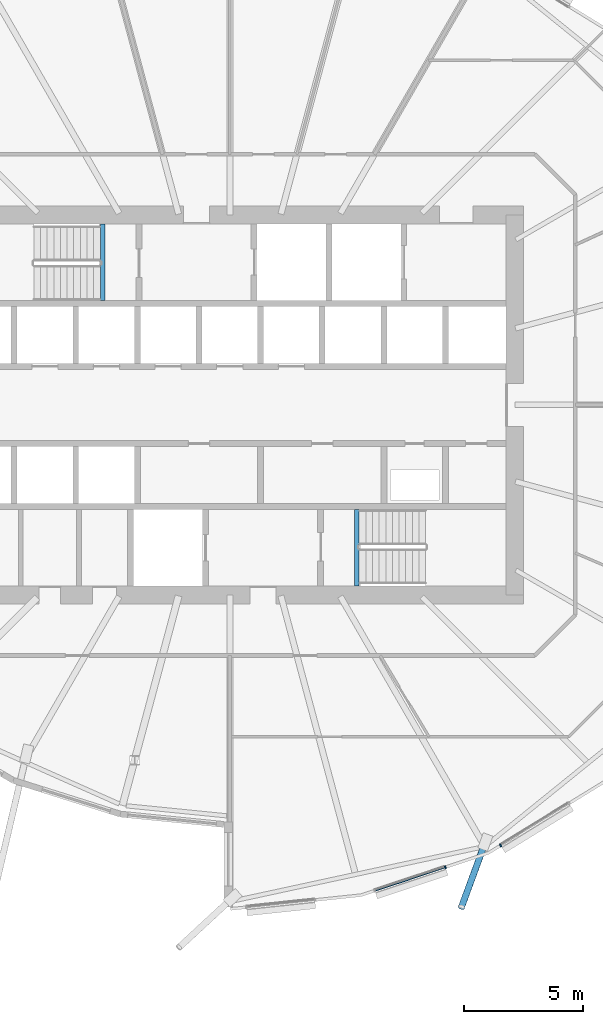
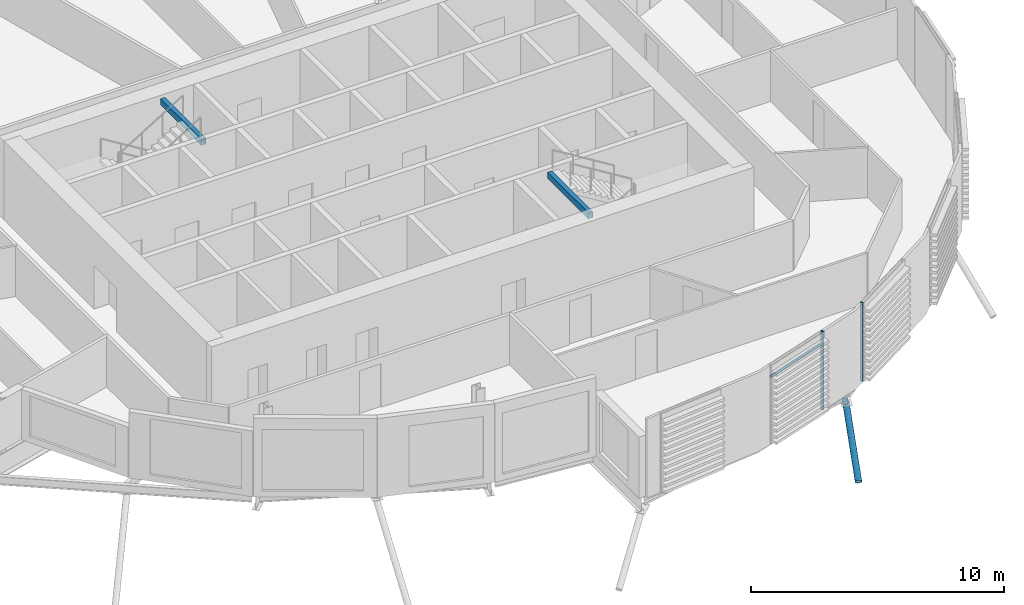
# One storey, part 6 of 42: 4 members, 2 beams, 1 element without a shape of its own.
"""IFC4 building model written with IfcOpenShell, lengths in metres."""

from ifc_helpers import new_model, si_unit, direction, frame, origin, origin_2d, place, context, subcontext, project, spatial, rectangle, hollow_rectangle, hollow_circle, extrude, clip, halfspace, material, material_profile, profile_set, type_object, element, aggregate, save


model = new_model("IFC4")

# Units and contexts
model_context = context("Model", 3, precision=1e-05, world=origin(), true_north=direction((0.0, 1.0)))
body_context = subcontext(model_context, "Body", "Model", "MODEL_VIEW")
ifc_project = project(units=[si_unit("LENGTHUNIT", "METRE"), si_unit("AREAUNIT", "SQUARE_METRE"), si_unit("VOLUMEUNIT", "CUBIC_METRE"), si_unit("PLANEANGLEUNIT", "RADIAN"), si_unit("MASSUNIT", "GRAM", prefix="KILO")], contexts=[model_context])

# Site, building, storey
site_placement = place(None, origin())
site = spatial("IfcSite", under=ifc_project, at=site_placement, CompositionType="ELEMENT")
building_placement = place(site_placement, origin())
building = spatial("IfcBuilding", under=site, at=building_placement, Name="Rimbun Link Towers", CompositionType="ELEMENT")
storey_placement = place(building_placement, frame((0.0, 0.0, 85.39990234375)))
storey = spatial("IfcBuildingStorey", under=building, at=storey_placement, Name="L20", CompositionType="ELEMENT", Elevation=85.39990234375)

# Curtain wall, members
ifc_material_1 = material(Name="Aluminium 6063-T6 and low-iron glass", Category="aluminium")
curtain_wall_type = type_object("IfcCurtainWallType", Name="CW1-Z2 unitised vision wall (zone 2)", PredefinedType="NOTDEFINED", material=ifc_material_1)
curtain_wall_placement = place(storey_placement, origin())
curtain_wall = element("IfcCurtainWall", 1, at=curtain_wall_placement, inside=storey, type_object=curtain_wall_type, Name="CW1 L20 T1", PredefinedType="NOTDEFINED")
ifc_material_2 = material(Name="Aluminium 6063-T6", Category="aluminium")
ifc_material_profile_1 = material_profile(ifc_material_2, rectangle(XDim=0.1201171875, YDim=0.06005859375, at=origin_2d()), Name="MULLION 60X120")
ifc_profile_set_1 = profile_set([ifc_material_profile_1], Name="Aluminium 6063-T6")
member_type_1 = type_object("IfcMemberType", Name="CW1 mullion 60X120", PredefinedType="MULLION", material=ifc_profile_set_1)
member_1_placement = place(storey_placement, frame((-22.6728515625, -19.468017578125, 0.0), z_axis=(0.0, 0.0, 1.0), x_axis=(0.314576015911, -0.949232284646, 0.0)))
member_1 = element("IfcMember", 2, at=member_1_placement, type_object=member_type_1, Name="CW1 mullion", PredefinedType="MULLION", context=body_context, shape_type="SweptSolid", body=[
    extrude(rectangle(XDim=0.1201171875, YDim=0.06005859375, at=origin_2d()), origin(), (0.0, 0.0, 1.0), 3.800048828125),
])
member_2_placement = place(storey_placement, frame((-20.345458984375, -18.550537109375, 0.0), z_axis=(0.0, 0.0, 1.0), x_axis=(0.523237248968, -0.852187057689, 0.0)))
member_2 = element("IfcMember", 3, at=member_2_placement, type_object=member_type_1, Name="CW1 mullion", PredefinedType="MULLION", context=body_context, shape_type="SweptSolid", body=[
    extrude(rectangle(XDim=0.1201171875, YDim=0.06005859375, at=origin_2d()), origin(), (0.0, 0.0, 1.0), 3.800048828125),
])
ifc_material_3 = material(Name="Aluminium 6063-T6", Category="aluminium")
ifc_material_profile_2 = material_profile(ifc_material_3, rectangle(XDim=0.06005859375, YDim=0.1201171875, at=origin_2d()), Name="TRANSOM 60X120")
ifc_profile_set_2 = profile_set([ifc_material_profile_2], Name="Aluminium 6063-T6")
member_type_2 = type_object("IfcMemberType", Name="CW1 transom 60X120", PredefinedType="USERDEFINED", material=ifc_profile_set_2)
member_3_placement = place(storey_placement, frame((-22.701904296875, -19.4755859375, 3.2001953125), z_axis=(-0.949238148414, -0.314558321452, 0.0), x_axis=(0.314558321452, -0.949238148414, 0.0)))
member_3 = element("IfcMember", 4, at=member_3_placement, type_object=member_type_2, Name="CW1 transom", ObjectType="TRANSOM", PredefinedType="USERDEFINED", context=body_context, shape_type="SweptSolid", body=[
    extrude(rectangle(XDim=0.06005859375, YDim=0.1201171875, at=origin_2d()), origin(), (0.0, 0.0, 1.0), 3.072021484375),
])
aggregate(curtain_wall, [member_1, member_2, member_3])

# Member
ifc_material_4 = material(Name="Steel S355J2H", Category="steel")
ifc_material_profile_3 = material_profile(ifc_material_4, hollow_circle(Radius=0.136474609375, WallThickness=0.012451171875, at=origin_2d()), Name="CHS 273x12.5")
ifc_profile_set_3 = profile_set([ifc_material_profile_3], Name="Steel S355J2H")
member_type_3 = type_object("IfcMemberType", Name="Floor edge link CHS 273x12.5", PredefinedType="BRACE", material=ifc_profile_set_3)
member_4_placement = place(storey_placement, frame((-21.040771484375, -18.549072265625, -0.95947265625), z_axis=(-0.292728967003, -0.797121206386, -0.528116970195), x_axis=(0.938704466181, -0.344722968734, 0.0)))
element("IfcMember", 5, at=member_4_placement, inside=storey, type_object=member_type_3, Name="Floor edge link T1 L20 20", PredefinedType="BRACE", context=body_context, shape_type="Clipping", body=[
    clip(extrude(hollow_circle(Radius=0.136474609375, WallThickness=0.012451171875, at=origin_2d()), frame((0.0, 0.0, -0.4580078125)), (0.0, 0.0, 1.0), 3.740478515625), halfspace(frame((0.0, 0.0, -0.216064453125), z_axis=(0.0, 0.849171635061, -0.528116970195)), False)),
])

# Beams
ifc_material_5 = material(Name="Steel S355J2", Category="steel")
ifc_material_profile_4 = material_profile(ifc_material_5, hollow_rectangle(XDim=0.199951171875, YDim=0.300048828125, WallThickness=0.011962890625, at=origin_2d()), Name="BOX 300x200x12")
ifc_profile_set_4 = profile_set([ifc_material_profile_4], Name="Steel S355J2")
beam_type = type_object("IfcBeamType", Name="Stair trimmer beam BOX 300x200x12", PredefinedType="BEAM", material=ifc_profile_set_4)
for number, where, z_axis, x_axis, name in (
    (6, (-37.10009765625, 7.625, 3.489990234375), (0.0, -1.0, 0.0), (1.0, 0.0, 0.0), "L20 ST1 stair beam 1"),
    (7, (-26.39990234375, -7.625, 3.489990234375), (0.0, 1.0, 0.0), (-1.0, 0.0, 0.0), "L20 ST2 stair beam 1"),
):
    element("IfcBeam", number, at=place(storey_placement, frame(where, z_axis=z_axis, x_axis=x_axis)), inside=storey, type_object=beam_type, Name=name, PredefinedType="BEAM", context=body_context, shape_type="SweptSolid", body=[
        extrude(hollow_rectangle(XDim=0.199951171875, YDim=0.300048828125, WallThickness=0.011962890625, at=origin_2d()), origin(), (0.0, 0.0, 1.0), 3.22509765625),
    ])

save(model, "model.ifc")
